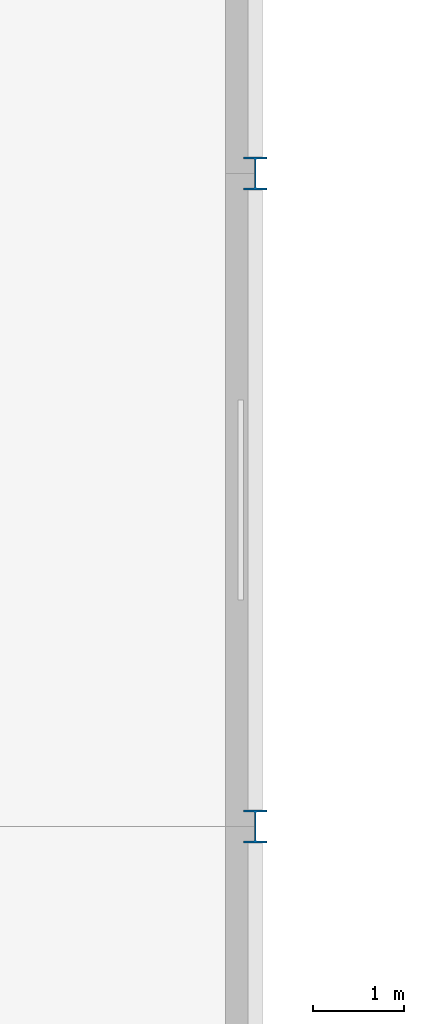
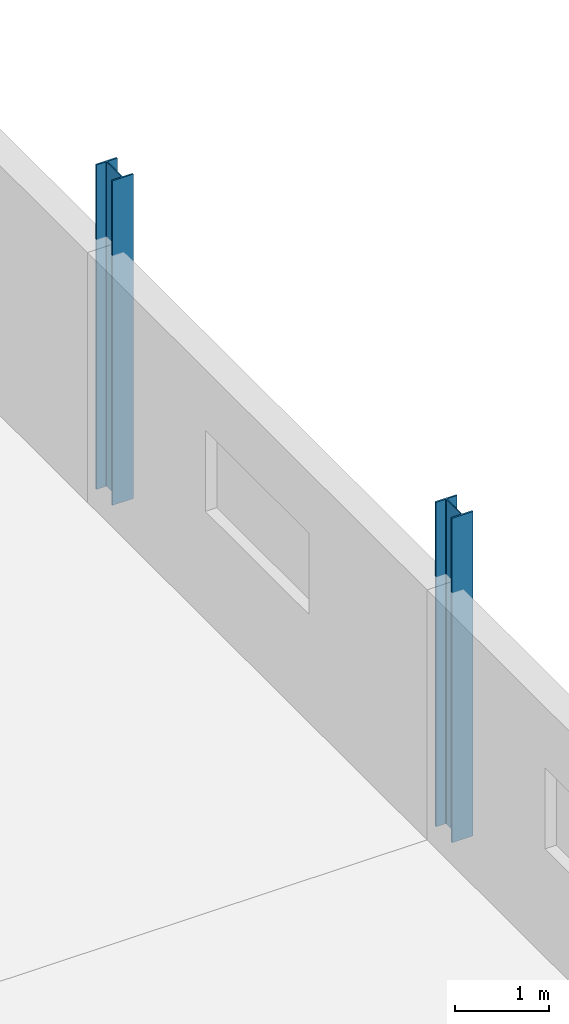
# One storey, part 17 of 94: 2 columns.
"""IFC4 building model written with IfcOpenShell, lengths in metres."""

from ifc_helpers import new_model, si_unit, direction, frame, origin, origin_2d, place, context, subcontext, project, spatial, i_section, extrude, material, material_profile, profile_set, type_object, element, save


model = new_model("IFC4")

# Units and contexts
model_context = context("Model", 3, precision=1e-05, world=origin(), true_north=direction((0.0, 1.0)))
body_context = subcontext(model_context, "Body", "Model", "MODEL_VIEW")
ifc_project = project(units=[si_unit("LENGTHUNIT", "METRE"), si_unit("AREAUNIT", "SQUARE_METRE"), si_unit("VOLUMEUNIT", "CUBIC_METRE"), si_unit("PLANEANGLEUNIT", "RADIAN"), si_unit("MASSUNIT", "GRAM", prefix="KILO")], contexts=[model_context])

# Site, building, storey
site_placement = place(None, origin())
site = spatial("IfcSite", under=ifc_project, at=site_placement, CompositionType="ELEMENT")
building_placement = place(site_placement, origin())
building = spatial("IfcBuilding", under=site, at=building_placement, Name="Kalmorath City Hall", CompositionType="ELEMENT")
storey_placement = place(building_placement, frame((0.0, 0.0, 14.699951171875)))
storey = spatial("IfcBuildingStorey", under=building, at=storey_placement, Name="L03", CompositionType="ELEMENT", Elevation=14.699951171875)

# Columns
ifc_material = material(Name="Steel ASTM A992 Grade 50", Category="steel")
ifc_material_profile = material_profile(ifc_material, i_section(OverallWidth=0.256103515625, OverallDepth=0.360107421875, WebThickness=0.011474609375, FlangeThickness=0.02001953125, FilletRadius=0.014892578125, at=origin_2d()), Name="W14X74")
ifc_profile_set = profile_set([ifc_material_profile], Name="Steel ASTM A992 Grade 50")
column_type = type_object("IfcColumnType", Name="Steel wide-flange column W14X74", PredefinedType="COLUMN", material=ifc_profile_set)
for number, where, z_axis, x_axis, name in (
    (1, (165.60009765625, 21.60009765625, 0.0), (0.0, 0.0, 1.0), (1.0, 0.0, 0.0), "L03 column SC4 (24/4)"),
    (2, (165.60009765625, 28.800048828125, 0.0), (0.0, 0.0, 1.0), (1.0, 0.0, 0.0), "L03 column SC4 (24/5)"),
):
    element("IfcColumn", number, at=place(storey_placement, frame(where, z_axis=z_axis, x_axis=x_axis)), inside=storey, type_object=column_type, Name=name, PredefinedType="COLUMN", context=body_context, shape_type="SweptSolid", body=[
        extrude(i_section(OverallWidth=0.256103515625, OverallDepth=0.360107421875, WebThickness=0.011474609375, FlangeThickness=0.02001953125, FilletRadius=0.014892578125, at=origin_2d()), origin(), (0.0, 0.0, 1.0), 4.199951171875),
    ])

save(model, "model.ifc")
